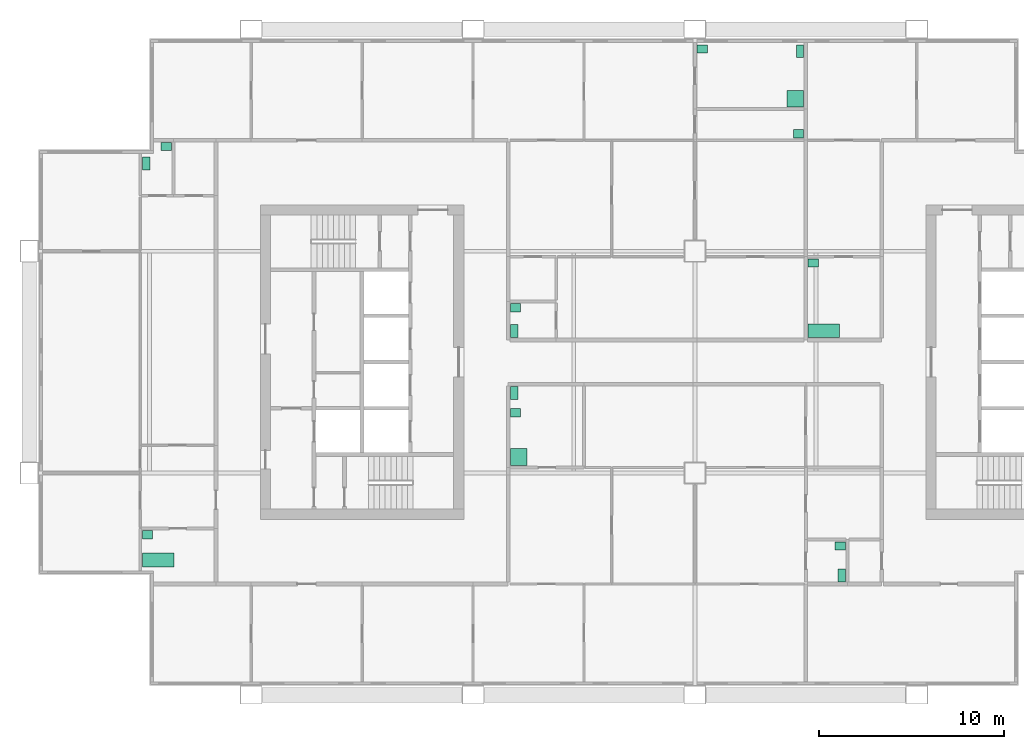
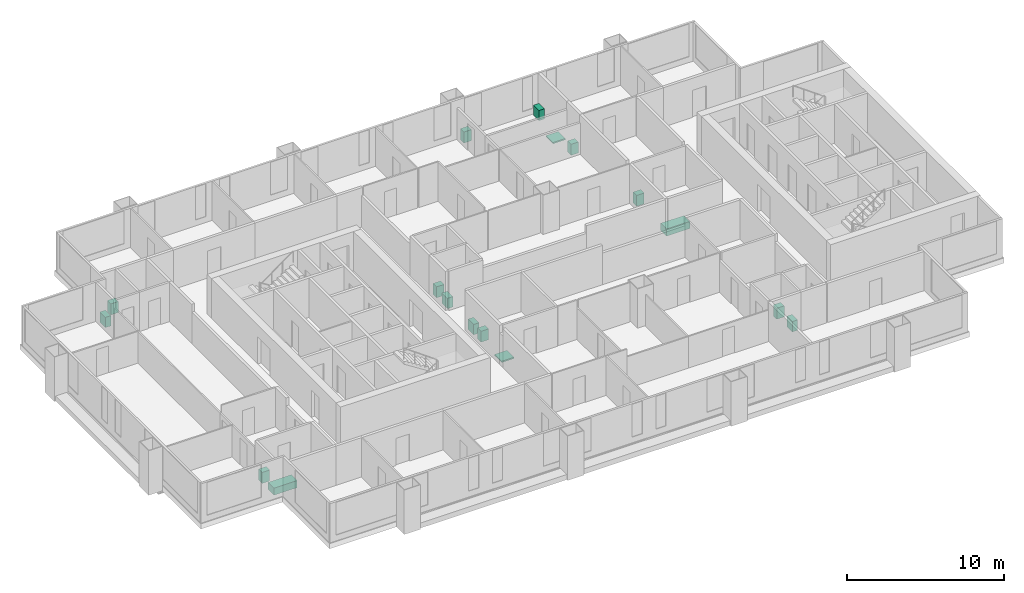
# One storey, part 10 of 10: 17 sanitary terminals.
"""IFC4 building model written with IfcOpenShell, lengths in metres."""

from ifc_helpers import new_model, si_unit, direction, frame, origin, origin_2d, place, context, subcontext, project, spatial, rectangle, extrude, material, type_object, element, save


model = new_model("IFC4")

# Units and contexts
model_context = context("Model", 3, precision=1e-05, world=origin(), true_north=direction((0.0, 1.0)))
body_context = subcontext(model_context, "Body", "Model", "MODEL_VIEW")
ifc_project = project(units=[si_unit("LENGTHUNIT", "METRE"), si_unit("AREAUNIT", "SQUARE_METRE"), si_unit("VOLUMEUNIT", "CUBIC_METRE"), si_unit("PLANEANGLEUNIT", "RADIAN"), si_unit("MASSUNIT", "GRAM", prefix="KILO")], contexts=[model_context])

# Site, building, storey
site_placement = place(None, origin())
site = spatial("IfcSite", under=ifc_project, at=site_placement, CompositionType="ELEMENT")
building_placement = place(site_placement, origin())
building = spatial("IfcBuilding", under=site, at=building_placement, Name="Kitamizu Gate Tower and Museum", CompositionType="ELEMENT")
storey_placement = place(building_placement, frame((0.0, 0.0, 185.85009765625)))
storey = spatial("IfcBuildingStorey", under=building, at=storey_placement, Name="L49", CompositionType="ELEMENT", Elevation=185.85009765625)

# Sanitary terminals
ifc_material_1 = material(Name="Acrylic")
sanitary_terminal_type_1 = type_object("IfcSanitaryTerminalType", Name="Bath", PredefinedType="BATH", material=ifc_material_1)
for number, where, z_axis, x_axis, name in (
    (1, (6.969970703125, 19.294921875, 0.0009765625), (0.0, 0.0, 1.0), (1.0, 0.0, 0.0), "Bath Bathroom 49C"),
    (2, (42.969970703125, 31.695068359375, 0.0009765625), (0.0, 0.0, 1.0), (1.0, 0.0, 0.0), "Bath Bathroom and WC 49D"),
):
    element("IfcSanitaryTerminal", number, at=place(storey_placement, frame(where, z_axis=z_axis, x_axis=x_axis)), inside=storey, type_object=sanitary_terminal_type_1, Name=name, PredefinedType="BATH", context=body_context, shape_type="SweptSolid", body=[
        extrude(rectangle(XDim=1.699951171875, YDim=0.75, at=origin_2d()), origin(), (0.0, 0.0, 1.0), 0.550048828125),
    ])
ifc_material_2 = material(Name="Acrylic")
sanitary_terminal_type_2 = type_object("IfcSanitaryTerminalType", Name="Shower tray", PredefinedType="SHOWER", material=ifc_material_2)
for number, where, z_axis, x_axis, name in (
    (3, (26.469970703125, 24.8701171875, 0.000732421875), (0.0, 0.0, 1.0), (1.0, 0.0, 0.0), "Shower tray En-suite bathroom 49A"),
    (4, (41.429931640625, 44.25, 0.000732421875), (0.0, 0.0, 1.0), (1.0, 0.0, 0.0), "Shower tray En-suite bathroom 49B"),
):
    element("IfcSanitaryTerminal", number, at=place(storey_placement, frame(where, z_axis=z_axis, x_axis=x_axis)), inside=storey, type_object=sanitary_terminal_type_2, Name=name, PredefinedType="SHOWER", context=body_context, shape_type="SweptSolid", body=[
        extrude(rectangle(XDim=0.89990234375, YDim=0.89990234375, at=origin_2d()), origin(), (0.0, 0.0, 1.0), 0.10009765625),
    ])
ifc_material_3 = material(Name="Vitreous china")
sanitary_terminal_type_3 = type_object("IfcSanitaryTerminalType", Name="Wash hand basin", PredefinedType="WASHHANDBASIN", material=ifc_material_3)
for number, where, z_axis, x_axis, name in (
    (5, (26.294921875, 27.2548828125, 0.000732421875), (0.0, 0.0, 1.0), (1.0, 0.0, 0.0), "Wash hand basin En-suite bathroom 49A"),
    (6, (43.85498046875, 20.054931640625, 0.000732421875), (0.0, 0.0, 1.0), (1.0, 0.0, 0.0), "Wash hand basin WC 49A"),
    (7, (36.39501953125, 46.93505859375, 0.000732421875), (0.0, 0.0, 1.0), (1.0, 0.0, 0.0), "Wash hand basin En-suite bathroom 49B"),
    (8, (41.60498046875, 42.344970703125, 0.000732421875), (0.0, 0.0, 1.0), (1.0, 0.0, 0.0), "Wash hand basin Wash room 49B"),
    (9, (26.294921875, 32.931884765625, 0.000732421875), (0.0, 0.0, 1.0), (1.0, 0.0, 0.0), "Wash hand basin WC 49B"),
    (10, (6.39501953125, 20.655029296875, 0.000732421875), (0.0, 0.0, 1.0), (1.0, 0.0, 0.0), "Wash hand basin Bathroom 49C"),
    (11, (7.405029296875, 41.655029296875, 0.000732421875), (0.0, 0.0, 1.0), (1.0, 0.0, 0.0), "Wash hand basin WC 49C"),
    (12, (42.39501953125, 35.35498046875, 0.000732421875), (0.0, 0.0, 1.0), (1.0, 0.0, 0.0), "Wash hand basin Bathroom and WC 49D"),
):
    element("IfcSanitaryTerminal", number, at=place(storey_placement, frame(where, z_axis=z_axis, x_axis=x_axis)), inside=storey, type_object=sanitary_terminal_type_3, Name=name, PredefinedType="WASHHANDBASIN", context=body_context, shape_type="SweptSolid", body=[
        extrude(rectangle(XDim=0.550048828125, YDim=0.449951171875, at=origin_2d()), origin(), (0.0, 0.0, 1.0), 0.85009765625),
    ])
ifc_material_4 = material(Name="Vitreous china")
sanitary_terminal_type_4 = type_object("IfcSanitaryTerminalType", Name="Water closet", PredefinedType="TOILETPAN", material=ifc_material_4)
for number, where, z_axis, x_axis, name in (
    (13, (26.219970703125, 28.330078125, 0.0009765625), (0.0, 0.0, 1.0), (1.0, 0.0, 0.0), "Water closet En-suite bathroom 49A"),
    (14, (43.929931640625, 18.469970703125, 0.0009765625), (0.0, 0.0, 1.0), (1.0, 0.0, 0.0), "Water closet WC 49A"),
    (15, (41.679931640625, 46.81005859375, 0.0009765625), (0.0, 0.0, 1.0), (1.0, 0.0, 0.0), "Water closet En-suite bathroom 49B"),
    (16, (26.219970703125, 31.669921875, 0.0009765625), (0.0, 0.0, 1.0), (1.0, 0.0, 0.0), "Water closet WC 49B"),
    (17, (6.320068359375, 40.72998046875, 0.0009765625), (0.0, 0.0, 1.0), (1.0, 0.0, 0.0), "Water closet WC 49C"),
):
    element("IfcSanitaryTerminal", number, at=place(storey_placement, frame(where, z_axis=z_axis, x_axis=x_axis)), inside=storey, type_object=sanitary_terminal_type_4, Name=name, PredefinedType="TOILETPAN", context=body_context, shape_type="SweptSolid", body=[
        extrude(rectangle(XDim=0.39990234375, YDim=0.699951171875, at=origin_2d()), origin(), (0.0, 0.0, 1.0), 0.800048828125),
    ])

save(model, "model.ifc")
